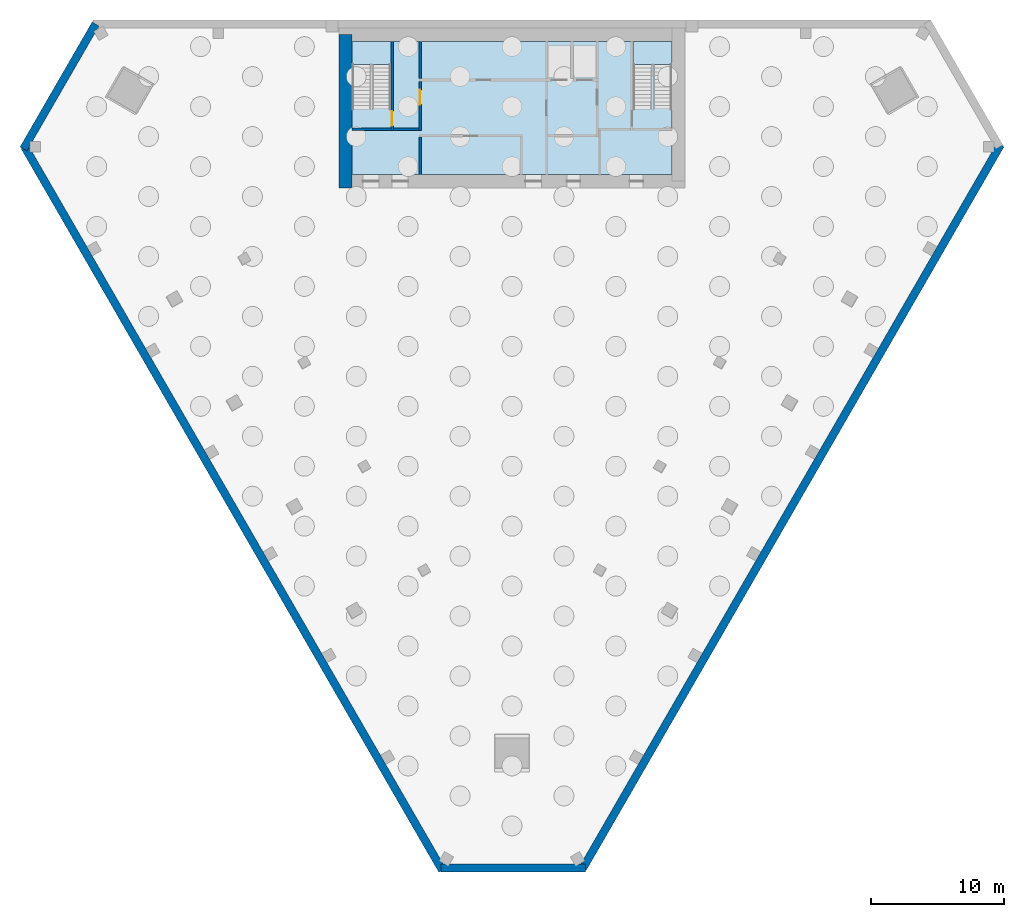
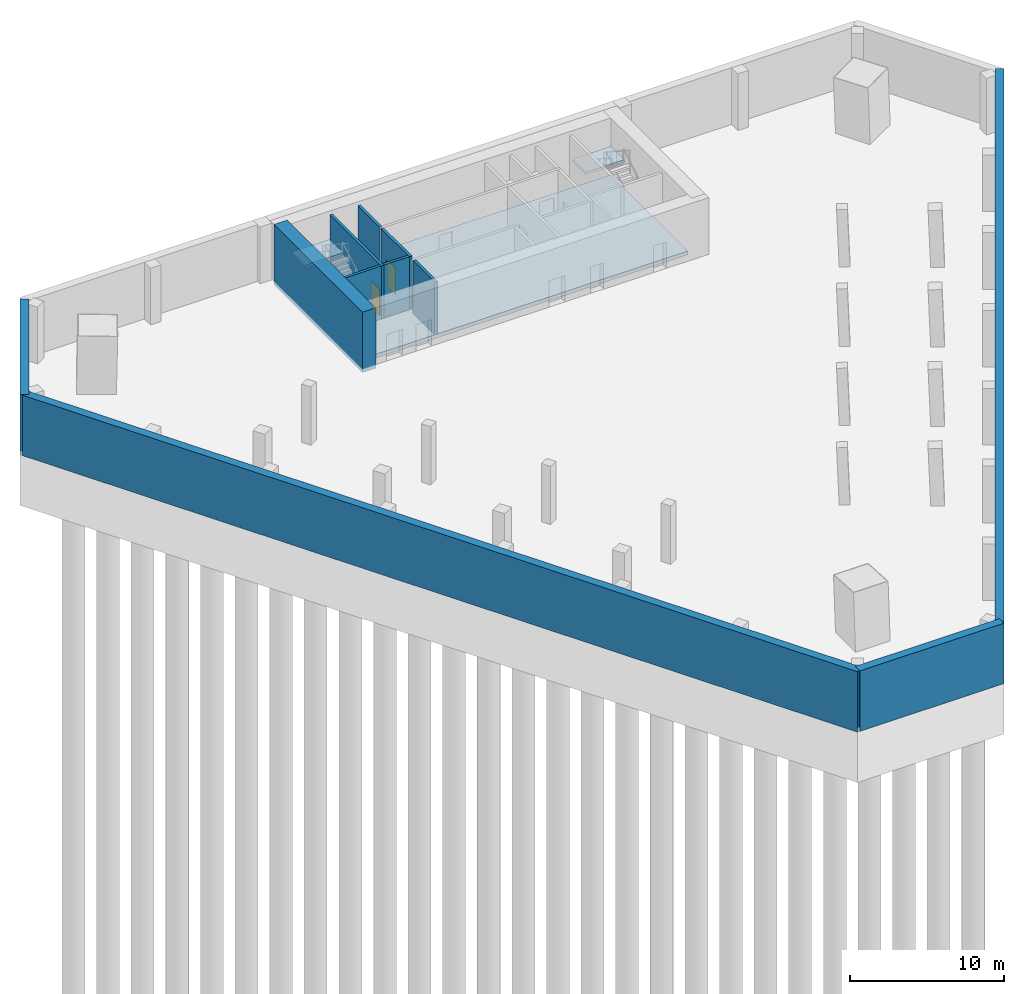
# One storey, part 2 of 5: 11 walls, 3 slabs, 2 doors, 2 openings, 2 elements without a shape of their own.
"""IFC4 building model written with IfcOpenShell, lengths in metres."""

from ifc_helpers import new_model, si_unit, direction, frame, frame_2d, origin, place, context, subcontext, project, spatial, polyline, rectangle, outline, extrude, material, layer, layer_set, type_object, element, fill, aggregate, save


model = new_model("IFC4")

# Units and contexts
model_context = context("Model", 3, precision=1e-05, world=origin(), true_north=direction((0.0, 1.0)))
body_context = subcontext(model_context, "Body", "Model", "MODEL_VIEW")
ifc_project = project(units=[si_unit("LENGTHUNIT", "METRE"), si_unit("AREAUNIT", "SQUARE_METRE"), si_unit("VOLUMEUNIT", "CUBIC_METRE"), si_unit("PLANEANGLEUNIT", "RADIAN"), si_unit("MASSUNIT", "GRAM", prefix="KILO")], contexts=[model_context])

# Site, building, storey
site_placement = place(None, origin())
site = spatial("IfcSite", under=ifc_project, at=site_placement, CompositionType="ELEMENT")
building_placement = place(site_placement, origin())
building = spatial("IfcBuilding", under=site, at=building_placement, Name="Altiplano Prism Tower", CompositionType="ELEMENT")
storey_placement = place(building_placement, frame((0.0, 0.0, -9.0)))
storey = spatial("IfcBuildingStorey", under=building, at=storey_placement, Name="B2", CompositionType="ELEMENT", Elevation=-9.0)

# Slab
ifc_material_1 = material(Name="Concrete C40/50", Category="concrete")
ifc_layer_1 = layer(ifc_material_1, 0.300048828125)
ifc_layer_set_1 = layer_set([ifc_layer_1], Name="Concrete C40/50")
slab_type_1 = type_object("IfcSlabType", Name="Core floor slab 300", PredefinedType="FLOOR", material=ifc_layer_set_1)
slab_1_placement = place(storey_placement, frame((0.0, 0.0, -0.300048828125)))
element("IfcSlab", 1, at=slab_1_placement, inside=storey, type_object=slab_type_1, Name="Core floor slab B2", PredefinedType="FLOOR", context=body_context, shape_type="SweptSolid", body=[
    extrude(outline(polyline([(97.0, 93.39990234375), (97.0, 103.39990234375), (73.0, 103.39990234375), (73.0, 93.39990234375), (97.0, 93.39990234375)])), origin(), (0.0, 0.0, 1.0), 0.300048828125),
])

# Stair, slab
stair_type = type_object("IfcStairType", Name="Exit stair 1400", PredefinedType="HALF_TURN_STAIR", material=ifc_material_1)
stair_1_placement = place(storey_placement, origin())
stair_1 = element("IfcStair", 2, at=stair_1_placement, inside=storey, type_object=stair_type, Name="B2 Exit Stair 1", PredefinedType="HALF_TURN_STAIR")
ifc_layer_2 = layer(ifc_material_1, 0.199951171875)
ifc_layer_set_2 = layer_set([ifc_layer_2], Name="Concrete C40/50")
slab_type_2 = type_object("IfcSlabType", Name="Stair landing 200", PredefinedType="LANDING", material=ifc_layer_set_2)
slab_2_placement = place(storey_placement, frame((0.0, 0.0, 2.050048828125)))
slab_2 = element("IfcSlab", 3, at=slab_2_placement, type_object=slab_type_2, Name="ST1 landing 1", PredefinedType="LANDING", context=body_context, shape_type="SweptSolid", body=[
    extrude(outline(polyline([(75.89990234375, 101.656982421875), (75.89990234375, 103.39990234375), (73.0, 103.39990234375), (73.0, 101.656982421875), (75.89990234375, 101.656982421875)])), origin(), (0.0, 0.0, 1.0), 0.199951171875),
])
aggregate(stair_1, [slab_2])

stair_2_placement = place(storey_placement, origin())
stair_2 = element("IfcStair", 4, at=stair_2_placement, inside=storey, type_object=stair_type, Name="B2 Exit Stair 2", PredefinedType="HALF_TURN_STAIR")
slab_3_placement = place(storey_placement, frame((0.0, 0.0, 2.050048828125)))
slab_3 = element("IfcSlab", 5, at=slab_3_placement, type_object=slab_type_2, Name="ST2 landing 1", PredefinedType="LANDING", context=body_context, shape_type="SweptSolid", body=[
    extrude(outline(polyline([(97.0, 101.656982421875), (97.0, 103.39990234375), (94.10009765625, 103.39990234375), (94.10009765625, 101.656982421875), (97.0, 101.656982421875)])), origin(), (0.0, 0.0, 1.0), 0.199951171875),
])
aggregate(stair_2, [slab_3])

# Walls
ifc_material_2 = material(Name="Concrete C70/85", Category="concrete")
ifc_layer_3 = layer(ifc_material_2, 1.0)
ifc_layer_set_3 = layer_set([ifc_layer_3], Name="Concrete C70/85")
wall_type_1 = type_object("IfcWallType", Name="Core wall 1000", PredefinedType="SHEAR", material=ifc_layer_set_3)
wall_1_placement = place(storey_placement, frame((72.5, 103.89990234375, -0.300048828125), z_axis=(0.0, 0.0, 1.0), x_axis=(0.0, -1.0, 0.0)))
element("IfcWall", 6, at=wall_1_placement, inside=storey, type_object=wall_type_1, Name="Core wall W B2", PredefinedType="SHEAR", context=body_context, shape_type="SweptSolid", body=[
    extrude(rectangle(XDim=11.5, YDim=1.0, at=frame_2d((5.75, 0.0))), origin(), (0.0, 0.0, 1.0), 4.800048828125),
])
ifc_layer_4 = layer(ifc_material_1, 0.60009765625)
ifc_layer_set_4 = layer_set([ifc_layer_4], Name="Concrete C40/50")
wall_type_2 = type_object("IfcWallType", Name="Retaining wall 600", PredefinedType="SOLIDWALL", material=ifc_layer_set_4)
wall_2_placement = place(storey_placement, frame((53.738037109375, 104.699951171875, -0.300048828125), z_axis=(0.0, 0.0, 1.0), x_axis=(-0.500014593659, -0.866016977968, 0.0)))
element("IfcWall", 7, at=wall_2_placement, inside=storey, type_object=wall_type_2, Name="Retaining wall B2 2", PredefinedType="SOLIDWALL", context=body_context, shape_type="SweptSolid", body=[
    extrude(rectangle(XDim=10.826904296875, YDim=0.60009765625, at=frame_2d((5.41357421875, 0.0))), origin(), (0.0, 0.0, 1.0), 4.800048828125),
])
wall_3_placement = place(storey_placement, frame((48.4111328125, 95.4736328125, -0.300048828125), z_axis=(0.0, 0.0, 1.0), x_axis=(0.500000424729, -0.866025158567, 0.0)))
element("IfcWall", 8, at=wall_3_placement, inside=storey, type_object=wall_type_2, Name="Retaining wall B2 3", PredefinedType="SOLIDWALL", context=body_context, shape_type="SweptSolid", body=[
    extrude(rectangle(XDim=62.697265625, YDim=0.60009765625, at=frame_2d((31.3486328125, 0.0))), origin(), (0.0, 0.0, 1.0), 4.800048828125),
])
wall_4_placement = place(storey_placement, frame((79.673095703125, 41.326171875, -0.300048828125), z_axis=(0.0, 0.0, 1.0), x_axis=(1.0, 0.0, 0.0)))
element("IfcWall", 9, at=wall_4_placement, inside=storey, type_object=wall_type_2, Name="Retaining wall B2 4", PredefinedType="SOLIDWALL", context=body_context, shape_type="SweptSolid", body=[
    extrude(rectangle(XDim=10.826904296875, YDim=0.60009765625, at=frame_2d((5.41357421875, 0.0))), origin(), (0.0, 0.0, 1.0), 4.800048828125),
])
wall_5_placement = place(storey_placement, frame((90.326904296875, 41.326171875, -0.300048828125), z_axis=(0.0, 0.0, 1.0), x_axis=(0.499998738597, 0.866026132054, 0.0)))
element("IfcWall", 10, at=wall_5_placement, inside=storey, type_object=wall_type_2, Name="Retaining wall B2 5", PredefinedType="SOLIDWALL", context=body_context, shape_type="SweptSolid", body=[
    extrude(rectangle(XDim=62.697509765625, YDim=0.60009765625, at=frame_2d((31.3486328125, 0.0))), origin(), (0.0, 0.0, 1.0), 4.800048828125),
])
ifc_material_3 = material(Name="Concrete C60/75", Category="concrete")
ifc_layer_5 = layer(ifc_material_3, 0.199951171875)
ifc_layer_set_5 = layer_set([ifc_layer_5], Name="Concrete C60/75")
wall_type_3 = type_object("IfcWallType", Name="Stair wall 200", PredefinedType="SOLIDWALL", material=ifc_layer_set_5)
wall_6_placement = place(storey_placement, frame((73.0, 96.800048828125, 0.0), z_axis=(0.0, 0.0, 1.0), x_axis=(1.0, 0.0, 0.0)))
element("IfcWall", 11, at=wall_6_placement, inside=storey, type_object=wall_type_3, Name="Stair wall B2", PredefinedType="SOLIDWALL", context=body_context, shape_type="SweptSolid", body=[
    extrude(rectangle(XDim=2.89990234375, YDim=0.199951171875, at=frame_2d((1.449951171875, 0.0))), origin(), (0.0, 0.0, 1.0), 4.199951171875),
])

# Wall, opening, door
wall_7_placement = place(storey_placement, frame((76.0, 96.699951171875, 0.0), z_axis=(0.0, 0.0, 1.0), x_axis=(0.0, 1.0, 0.0)))
wall_7 = element("IfcWall", 12, at=wall_7_placement, inside=storey, type_object=wall_type_3, Name="Stair wall B2", PredefinedType="SOLIDWALL", context=body_context, shape_type="SweptSolid", body=[
    extrude(rectangle(XDim=6.699951171875, YDim=0.199951171875, at=frame_2d((3.35009765625, 0.0))), origin(), (0.0, 0.0, 1.0), 4.199951171875),
])
opening_1_placement = place(wall_7_placement, frame((0.35009765625, 0.0, 0.0)))
opening_1 = element("IfcOpeningElement", 13, at=opening_1_placement, cuts=wall_7, Name="Opening D2567", PredefinedType="OPENING", context=body_context, shape_type="SweptSolid", body=[
    extrude(rectangle(XDim=1.10009765625, YDim=2.10009765625, at=frame_2d((0.550048828125, 1.050048828125))), frame((0.0, 0.1103515625, 0.0), z_axis=(0.0, -1.0, 0.0), x_axis=(1.0, 0.0, 0.0)), (0.0, 0.0, 1.0), 0.220947265625),
])
ifc_material_4 = material(Name="Fire-rated steel door", Category="steel")
door_type_1 = type_object("IfcDoorType", Name="Stair fire door 1100 x 2100", OperationType="NOTDEFINED", PredefinedType="NOTDEFINED", material=ifc_material_4)
door_1_placement = place(opening_1_placement, origin())
door_1 = element("IfcDoor", 14, at=door_1_placement, inside=storey, type_object=door_type_1, Name="Stair fire door D2567", OperationType="SINGLE_SWING_RIGHT", OverallHeight=2.10009765625, OverallWidth=1.10009765625, PredefinedType="NOTDEFINED", context=body_context, shape_type="SweptSolid", body=[
    extrude(rectangle(XDim=1.10009765625, YDim=2.10009765625, at=frame_2d((0.550048828125, 1.050048828125))), frame((0.0, 0.02490234375, 0.0), z_axis=(0.0, -1.0, 0.0), x_axis=(1.0, 0.0, 0.0)), (0.0, 0.0, 1.0), 0.050048828125),
])
fill(opening_1, door_1)

# Walls
ifc_layer_6 = layer(ifc_material_3, 0.199951171875)
ifc_layer_set_6 = layer_set([ifc_layer_6], Name="Concrete C60/75")
wall_type_4 = type_object("IfcWallType", Name="Vestibule wall 200", PredefinedType="PARTITIONING", material=ifc_layer_set_6)
wall_8_placement = place(storey_placement, frame((78.10009765625, 93.39990234375, 0.0), z_axis=(0.0, 0.0, 1.0), x_axis=(0.0, 1.0, 0.0)))
element("IfcWall", 15, at=wall_8_placement, inside=storey, type_object=wall_type_4, Name="Vestibule wall B2", PredefinedType="PARTITIONING", context=body_context, shape_type="SweptSolid", body=[
    extrude(rectangle(XDim=2.800048828125, YDim=0.199951171875, at=frame_2d((1.39990234375, 0.0))), origin(), (0.0, 0.0, 1.0), 4.199951171875),
])
wall_9_placement = place(storey_placement, frame((76.10009765625, 96.800048828125, 0.0), z_axis=(0.0, 0.0, 1.0), x_axis=(1.0, 0.0, 0.0)))
element("IfcWall", 16, at=wall_9_placement, inside=storey, type_object=wall_type_4, Name="Vestibule wall B2", PredefinedType="PARTITIONING", context=body_context, shape_type="SweptSolid", body=[
    extrude(rectangle(XDim=1.89990234375, YDim=0.199951171875, at=frame_2d((0.949951171875, 0.0))), origin(), (0.0, 0.0, 1.0), 4.199951171875),
])

# Wall, opening, door
wall_10_placement = place(storey_placement, frame((78.10009765625, 96.699951171875, 0.0), z_axis=(0.0, 0.0, 1.0), x_axis=(0.0, 1.0, 0.0)))
wall_10 = element("IfcWall", 17, at=wall_10_placement, inside=storey, type_object=wall_type_4, Name="Vestibule wall B2", PredefinedType="PARTITIONING", context=body_context, shape_type="SweptSolid", body=[
    extrude(rectangle(XDim=3.699951171875, YDim=0.199951171875, at=frame_2d((1.85009765625, 0.0))), origin(), (0.0, 0.0, 1.0), 4.199951171875),
])
opening_2_placement = place(wall_10_placement, frame((1.949951171875, 0.0, 0.0)))
opening_2 = element("IfcOpeningElement", 18, at=opening_2_placement, cuts=wall_10, Name="Opening D2569", PredefinedType="OPENING", context=body_context, shape_type="SweptSolid", body=[
    extrude(rectangle(XDim=1.10009765625, YDim=2.10009765625, at=frame_2d((0.550048828125, 1.050048828125))), frame((0.0, 0.1103515625, 0.0), z_axis=(0.0, -1.0, 0.0), x_axis=(1.0, 0.0, 0.0)), (0.0, 0.0, 1.0), 0.220947265625),
])
door_type_2 = type_object("IfcDoorType", Name="Vestibule fire door 1100 x 2100", OperationType="NOTDEFINED", PredefinedType="NOTDEFINED", material=ifc_material_4)
door_2_placement = place(opening_2_placement, origin())
door_2 = element("IfcDoor", 19, at=door_2_placement, inside=storey, type_object=door_type_2, Name="Vestibule fire door D2569", OperationType="SINGLE_SWING_LEFT", OverallHeight=2.10009765625, OverallWidth=1.10009765625, PredefinedType="NOTDEFINED", context=body_context, shape_type="SweptSolid", body=[
    extrude(rectangle(XDim=1.10009765625, YDim=2.10009765625, at=frame_2d((0.550048828125, 1.050048828125))), frame((0.0, 0.02490234375, 0.0), z_axis=(0.0, -1.0, 0.0), x_axis=(1.0, 0.0, 0.0)), (0.0, 0.0, 1.0), 0.050048828125),
])
fill(opening_2, door_2)

# Wall
wall_11_placement = place(storey_placement, frame((78.10009765625, 100.60009765625, 0.0), z_axis=(0.0, 0.0, 1.0), x_axis=(0.0, 1.0, 0.0)))
element("IfcWall", 20, at=wall_11_placement, inside=storey, type_object=wall_type_4, Name="Vestibule wall B2", PredefinedType="PARTITIONING", context=body_context, shape_type="SweptSolid", body=[
    extrude(rectangle(XDim=2.7998046875, YDim=0.199951171875, at=frame_2d((1.39990234375, 0.0))), origin(), (0.0, 0.0, 1.0), 4.199951171875),
])

save(model, "model.ifc")
